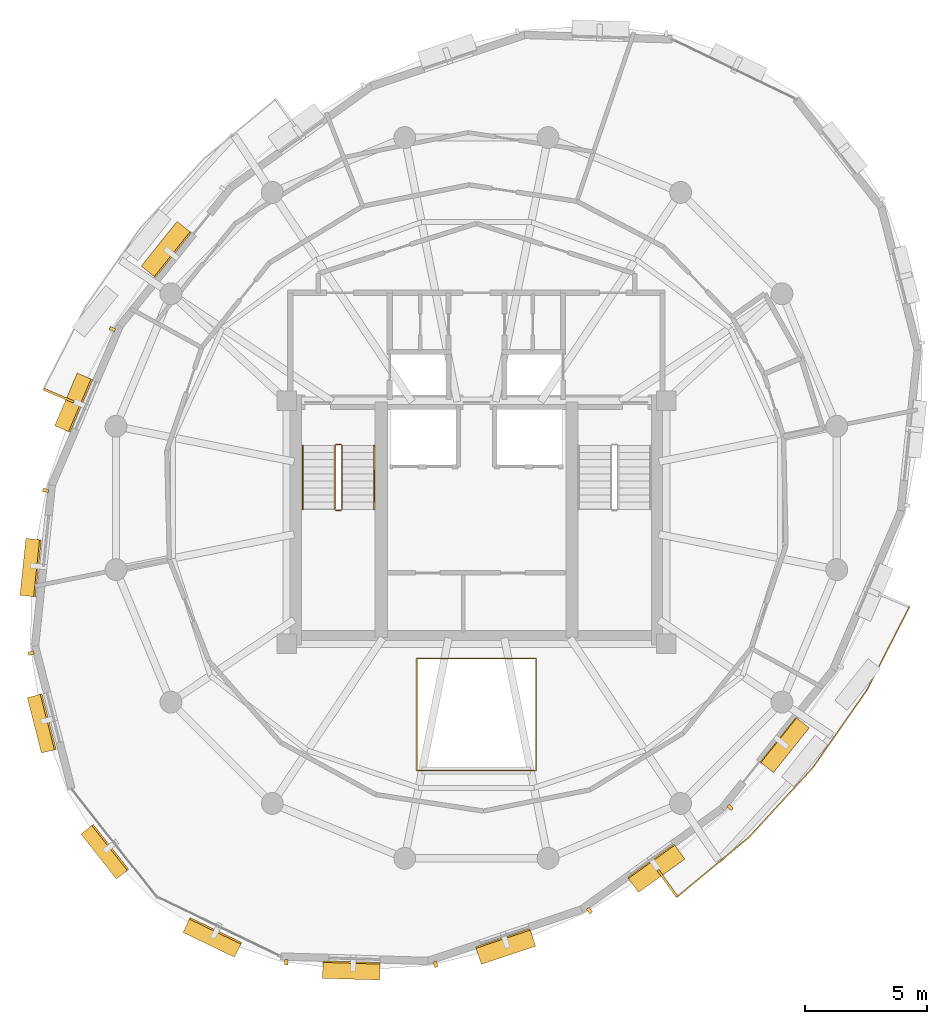
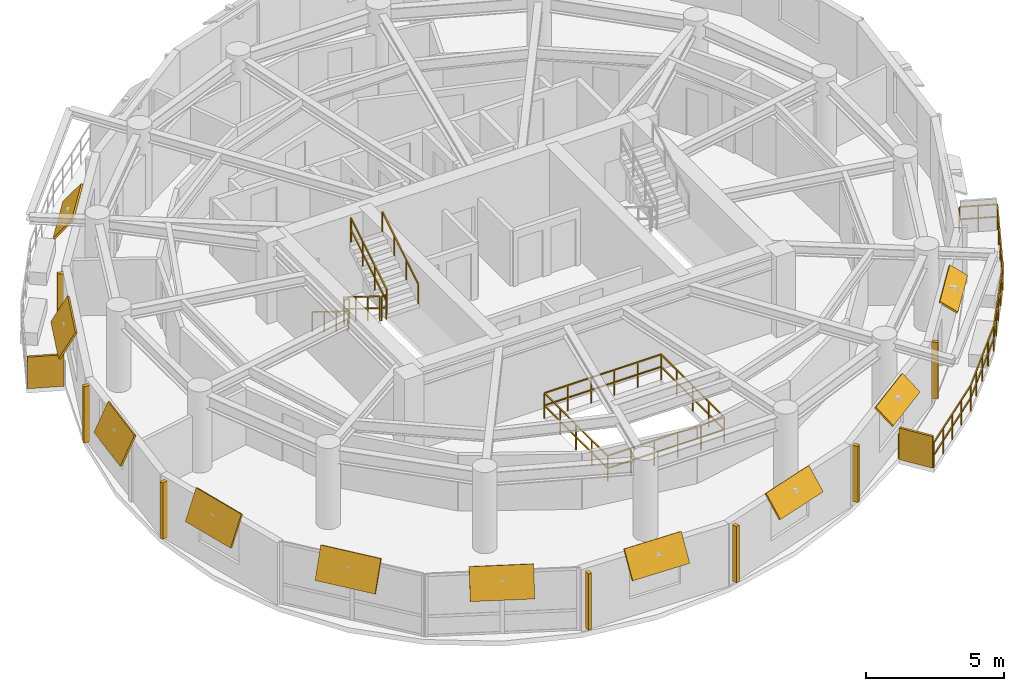
# One storey, part 10 of 11: 19 shading devices, 8 railings.
"""IFC4 building model written with IfcOpenShell, lengths in metres."""

from ifc_helpers import new_model, si_unit, direction, frame, origin, origin_2d, place, context, subcontext, project, spatial, rectangle, extrude, material, layer, layer_set, type_object, element, save


model = new_model("IFC4")

# Units and contexts
model_context = context("Model", 3, precision=1e-05, world=origin(), true_north=direction((0.0, 1.0)))
body_context = subcontext(model_context, "Body", "Model", "MODEL_VIEW")
ifc_project = project(units=[si_unit("LENGTHUNIT", "METRE"), si_unit("AREAUNIT", "SQUARE_METRE"), si_unit("VOLUMEUNIT", "CUBIC_METRE"), si_unit("PLANEANGLEUNIT", "RADIAN"), si_unit("MASSUNIT", "GRAM", prefix="KILO"), si_unit("THERMODYNAMICTEMPERATUREUNIT", "KELVIN"), si_unit("POWERUNIT", "WATT")], contexts=[model_context])

# Site, building, storey
site_placement = place(None, origin())
site = spatial("IfcSite", under=ifc_project, at=site_placement, CompositionType="ELEMENT")
building_placement = place(site_placement, origin())
building = spatial("IfcBuilding", under=site, at=building_placement, Name="Ocrelia Relay Tower", CompositionType="ELEMENT")
storey_placement = place(building_placement, frame((0.0, 0.0, 244.800048828125)))
storey = spatial("IfcBuildingStorey", under=building, at=storey_placement, Name="L60", CompositionType="ELEMENT", Elevation=244.800048828125)

# Railings
ifc_material_1 = material(Name="Steel S355 balustrade", Category="steel")
railing_type_1 = type_object("IfcRailingType", Name="RL-EXT-GUARD-1150", PredefinedType="GUARDRAIL", material=ifc_material_1)
railing_1_placement = place(storey_placement, frame((50.51513671875, 22.070068359375, 0.0)))
element("IfcRailing", 1, at=railing_1_placement, inside=storey, type_object=railing_type_1, Name="L60 Loggia Balcony Guard Rail B2", PredefinedType="GUARDRAIL", context=body_context, shape_type="SweptSolid", body=[
    extrude(rectangle(XDim=0.048095703125, YDim=0.048095703125, at=origin_2d()), frame((0.0, 0.0, 1.1259765625), z_axis=(0.920427080377, -0.390914299699, 0.0), x_axis=(0.390914299699, 0.920427080377, 0.0)), (0.0, 0.0, 1.0), 1.393310546875),
    extrude(rectangle(XDim=0.048095703125, YDim=0.048095703125, at=origin_2d()), frame((0.0, 0.0, 0.574951171875), z_axis=(0.920427080377, -0.390914299699, 0.0), x_axis=(0.390914299699, 0.920427080377, 0.0)), (0.0, 0.0, 1.0), 1.393310546875),
    extrude(rectangle(XDim=0.048095703125, YDim=0.048095703125, at=origin_2d()), frame((1.282470703125, -0.544677734375, 1.1259765625), z_axis=(-0.454873673203, -0.890555973214, 0.0), x_axis=(0.890555973214, -0.454873673203, 0.0)), (0.0, 0.0, 1.0), 1.9208984375),
    extrude(rectangle(XDim=0.048095703125, YDim=0.048095703125, at=origin_2d()), frame((1.282470703125, -0.544677734375, 0.574951171875), z_axis=(-0.454873673203, -0.890555973214, 0.0), x_axis=(0.890555973214, -0.454873673203, 0.0)), (0.0, 0.0, 1.0), 1.9208984375),
    extrude(rectangle(XDim=0.048095703125, YDim=0.048095703125, at=origin_2d()), frame((0.40869140625, -2.25537109375, 1.1259765625), z_axis=(-0.454925163319, -0.890529671476, 0.0), x_axis=(0.890529671476, -0.454925163319, 0.0)), (0.0, 0.0, 1.0), 1.920654296875),
    extrude(rectangle(XDim=0.048095703125, YDim=0.048095703125, at=origin_2d()), frame((0.40869140625, -2.25537109375, 0.574951171875), z_axis=(-0.454925163319, -0.890529671476, 0.0), x_axis=(0.890529671476, -0.454925163319, 0.0)), (0.0, 0.0, 1.0), 1.920654296875),
    extrude(rectangle(XDim=0.048095703125, YDim=0.048095703125, at=origin_2d()), frame((-0.465087890625, -3.9658203125, 1.1259765625), z_axis=(-0.571451400758, -0.820635909872, 0.0), x_axis=(0.820635909872, -0.571451400758, 0.0)), (0.0, 0.0, 1.0), 3.8818359375),
    extrude(rectangle(XDim=0.048095703125, YDim=0.048095703125, at=origin_2d()), frame((-0.465087890625, -3.9658203125, 0.574951171875), z_axis=(-0.571451400758, -0.820635909872, 0.0), x_axis=(0.820635909872, -0.571451400758, 0.0)), (0.0, 0.0, 1.0), 3.8818359375),
    extrude(rectangle(XDim=0.048095703125, YDim=0.048095703125, at=origin_2d()), frame((-2.683349609375, -7.1513671875, 1.1259765625), z_axis=(-0.676208628107, -0.736710181329, 0.0), x_axis=(0.736710181329, -0.676208628107, 0.0)), (0.0, 0.0, 1.0), 3.8818359375),
    extrude(rectangle(XDim=0.048095703125, YDim=0.048095703125, at=origin_2d()), frame((-2.683349609375, -7.1513671875, 0.574951171875), z_axis=(-0.676208628107, -0.736710181329, 0.0), x_axis=(0.736710181329, -0.676208628107, 0.0)), (0.0, 0.0, 1.0), 3.8818359375),
    extrude(rectangle(XDim=0.048095703125, YDim=0.048095703125, at=origin_2d()), frame((-5.308349609375, -10.01123046875, 1.1259765625), z_axis=(-0.769875240666, -0.638194416937, 0.0), x_axis=(0.638194416937, -0.769875240666, 0.0)), (0.0, 0.0, 1.0), 1.9208984375),
    extrude(rectangle(XDim=0.048095703125, YDim=0.048095703125, at=origin_2d()), frame((-5.308349609375, -10.01123046875, 0.574951171875), z_axis=(-0.769875240666, -0.638194416937, 0.0), x_axis=(0.638194416937, -0.769875240666, 0.0)), (0.0, 0.0, 1.0), 1.9208984375),
    extrude(rectangle(XDim=0.048095703125, YDim=0.048095703125, at=origin_2d()), frame((-6.787109375, -11.237060546875, 1.1259765625), z_axis=(-0.769875240666, -0.638194416937, 0.0), x_axis=(0.638194416937, -0.769875240666, 0.0)), (0.0, 0.0, 1.0), 1.9208984375),
    extrude(rectangle(XDim=0.048095703125, YDim=0.048095703125, at=origin_2d()), frame((-6.787109375, -11.237060546875, 0.574951171875), z_axis=(-0.769875240666, -0.638194416937, 0.0), x_axis=(0.638194416937, -0.769875240666, 0.0)), (0.0, 0.0, 1.0), 1.9208984375),
    extrude(rectangle(XDim=0.048095703125, YDim=0.048095703125, at=origin_2d()), frame((-8.265869140625, -12.462890625, 1.1259765625), z_axis=(-0.582364598076, 0.812927718132, 0.0), x_axis=(-0.812927718132, -0.582364598076, 0.0)), (0.0, 0.0, 1.0), 1.3935546875),
    extrude(rectangle(XDim=0.048095703125, YDim=0.048095703125, at=origin_2d()), frame((-8.265869140625, -12.462890625, 0.574951171875), z_axis=(-0.582364598076, 0.812927718132, 0.0), x_axis=(-0.812927718132, -0.582364598076, 0.0)), (0.0, 0.0, 1.0), 1.3935546875),
    extrude(rectangle(XDim=0.0419921875, YDim=0.0419921875, at=origin_2d()), origin(), (0.0, 0.0, 1.0), 1.101806640625),
    extrude(rectangle(XDim=0.0419921875, YDim=0.0419921875, at=origin_2d()), frame((0.64111328125, -0.2724609375, 0.0)), (0.0, 0.0, 1.0), 1.101806640625),
    extrude(rectangle(XDim=0.0419921875, YDim=0.0419921875, at=origin_2d()), frame((1.282470703125, -0.544677734375, 0.0)), (0.0, 0.0, 1.0), 1.101806640625),
    extrude(rectangle(XDim=0.0419921875, YDim=0.0419921875, at=origin_2d()), frame((0.845703125, -1.39990234375, 0.0)), (0.0, 0.0, 1.0), 1.101806640625),
    extrude(rectangle(XDim=0.0419921875, YDim=0.0419921875, at=origin_2d()), frame((0.40869140625, -2.25537109375, 0.0)), (0.0, 0.0, 1.0), 1.101806640625),
    extrude(rectangle(XDim=0.0419921875, YDim=0.0419921875, at=origin_2d()), frame((-0.0283203125, -3.110595703125, 0.0)), (0.0, 0.0, 1.0), 1.101806640625),
    extrude(rectangle(XDim=0.0419921875, YDim=0.0419921875, at=origin_2d()), frame((-0.465087890625, -3.9658203125, 0.0)), (0.0, 0.0, 1.0), 1.101806640625),
    extrude(rectangle(XDim=0.0419921875, YDim=0.0419921875, at=origin_2d()), frame((-1.01953125, -4.76220703125, 0.0)), (0.0, 0.0, 1.0), 1.101806640625),
    extrude(rectangle(XDim=0.0419921875, YDim=0.0419921875, at=origin_2d()), frame((-1.57421875, -5.55859375, 0.0)), (0.0, 0.0, 1.0), 1.101806640625),
    extrude(rectangle(XDim=0.0419921875, YDim=0.0419921875, at=origin_2d()), frame((-2.12890625, -6.35498046875, 0.0)), (0.0, 0.0, 1.0), 1.101806640625),
    extrude(rectangle(XDim=0.0419921875, YDim=0.0419921875, at=origin_2d()), frame((-2.683349609375, -7.1513671875, 0.0)), (0.0, 0.0, 1.0), 1.101806640625),
    extrude(rectangle(XDim=0.0419921875, YDim=0.0419921875, at=origin_2d()), frame((-3.339599609375, -7.8662109375, 0.0)), (0.0, 0.0, 1.0), 1.101806640625),
    extrude(rectangle(XDim=0.0419921875, YDim=0.0419921875, at=origin_2d()), frame((-3.995849609375, -8.581298828125, 0.0)), (0.0, 0.0, 1.0), 1.101806640625),
    extrude(rectangle(XDim=0.0419921875, YDim=0.0419921875, at=origin_2d()), frame((-4.652099609375, -9.29638671875, 0.0)), (0.0, 0.0, 1.0), 1.101806640625),
    extrude(rectangle(XDim=0.0419921875, YDim=0.0419921875, at=origin_2d()), frame((-5.308349609375, -10.01123046875, 0.0)), (0.0, 0.0, 1.0), 1.101806640625),
    extrude(rectangle(XDim=0.0419921875, YDim=0.0419921875, at=origin_2d()), frame((-6.0478515625, -10.6240234375, 0.0)), (0.0, 0.0, 1.0), 1.101806640625),
    extrude(rectangle(XDim=0.0419921875, YDim=0.0419921875, at=origin_2d()), frame((-6.787109375, -11.237060546875, 0.0)), (0.0, 0.0, 1.0), 1.101806640625),
    extrude(rectangle(XDim=0.0419921875, YDim=0.0419921875, at=origin_2d()), frame((-7.5263671875, -11.85009765625, 0.0)), (0.0, 0.0, 1.0), 1.101806640625),
    extrude(rectangle(XDim=0.0419921875, YDim=0.0419921875, at=origin_2d()), frame((-8.265869140625, -12.462890625, 0.0)), (0.0, 0.0, 1.0), 1.101806640625),
    extrude(rectangle(XDim=0.0419921875, YDim=0.0419921875, at=origin_2d()), frame((-8.671630859375, -11.896484375, 0.0)), (0.0, 0.0, 1.0), 1.101806640625),
    extrude(rectangle(XDim=0.0419921875, YDim=0.0419921875, at=origin_2d()), frame((-9.077392578125, -11.330078125, 0.0)), (0.0, 0.0, 1.0), 1.101806640625),
])
ifc_material_2 = material(Name="Steel S355 atrium balustrade", Category="steel")
railing_type_2 = type_object("IfcRailingType", Name="RL-INT-GUARD-115", PredefinedType="GUARDRAIL", material=ifc_material_2)
railing_2_placement = place(storey_placement, frame((31.550048828125, 14.800048828125, 0.0)))
element("IfcRailing", 2, at=railing_2_placement, inside=storey, type_object=railing_type_2, Name="L60 Multi-Zone Interior Atrium Guard", PredefinedType="GUARDRAIL", context=body_context, shape_type="SweptSolid", body=[
    extrude(rectangle(XDim=0.048095703125, YDim=0.048095703125, at=origin_2d()), frame((0.0, 0.0, 1.1259765625), z_axis=(1.0, 0.0, 0.0), x_axis=(0.0, 1.0, 0.0)), (0.0, 0.0, 1.0), 4.89990234375),
    extrude(rectangle(XDim=0.048095703125, YDim=0.048095703125, at=origin_2d()), frame((0.0, 0.0, 0.574951171875), z_axis=(1.0, 0.0, 0.0), x_axis=(0.0, 1.0, 0.0)), (0.0, 0.0, 1.0), 4.89990234375),
    extrude(rectangle(XDim=0.048095703125, YDim=0.048095703125, at=origin_2d()), frame((4.89990234375, 0.0, 1.1259765625), z_axis=(0.0, 1.0, 0.0), x_axis=(-1.0, 0.0, 0.0)), (0.0, 0.0, 1.0), 4.599853515625),
    extrude(rectangle(XDim=0.048095703125, YDim=0.048095703125, at=origin_2d()), frame((4.89990234375, 0.0, 0.574951171875), z_axis=(0.0, 1.0, 0.0), x_axis=(-1.0, 0.0, 0.0)), (0.0, 0.0, 1.0), 4.599853515625),
    extrude(rectangle(XDim=0.048095703125, YDim=0.048095703125, at=origin_2d()), frame((4.89990234375, 4.599853515625, 1.1259765625), z_axis=(-1.0, 0.0, 0.0), x_axis=(0.0, -1.0, 0.0)), (0.0, 0.0, 1.0), 4.89990234375),
    extrude(rectangle(XDim=0.048095703125, YDim=0.048095703125, at=origin_2d()), frame((4.89990234375, 4.599853515625, 0.574951171875), z_axis=(-1.0, 0.0, 0.0), x_axis=(0.0, -1.0, 0.0)), (0.0, 0.0, 1.0), 4.89990234375),
    extrude(rectangle(XDim=0.048095703125, YDim=0.048095703125, at=origin_2d()), frame((0.0, 4.599853515625, 1.1259765625), z_axis=(0.0, -1.0, 0.0), x_axis=(1.0, 0.0, 0.0)), (0.0, 0.0, 1.0), 4.599853515625),
    extrude(rectangle(XDim=0.048095703125, YDim=0.048095703125, at=origin_2d()), frame((0.0, 4.599853515625, 0.574951171875), z_axis=(0.0, -1.0, 0.0), x_axis=(1.0, 0.0, 0.0)), (0.0, 0.0, 1.0), 4.599853515625),
    extrude(rectangle(XDim=0.0419921875, YDim=0.0419921875, at=origin_2d()), origin(), (0.0, 0.0, 1.0), 1.101806640625),
    extrude(rectangle(XDim=0.0419921875, YDim=0.0419921875, at=origin_2d()), frame((0.97998046875, 0.0, 0.0)), (0.0, 0.0, 1.0), 1.101806640625),
    extrude(rectangle(XDim=0.0419921875, YDim=0.0419921875, at=origin_2d()), frame((1.9599609375, 0.0, 0.0)), (0.0, 0.0, 1.0), 1.101806640625),
    extrude(rectangle(XDim=0.0419921875, YDim=0.0419921875, at=origin_2d()), frame((2.93994140625, 0.0, 0.0)), (0.0, 0.0, 1.0), 1.101806640625),
    extrude(rectangle(XDim=0.0419921875, YDim=0.0419921875, at=origin_2d()), frame((3.919921875, 0.0, 0.0)), (0.0, 0.0, 1.0), 1.101806640625),
    extrude(rectangle(XDim=0.0419921875, YDim=0.0419921875, at=origin_2d()), frame((4.89990234375, 0.0, 0.0)), (0.0, 0.0, 1.0), 1.101806640625),
    extrude(rectangle(XDim=0.0419921875, YDim=0.0419921875, at=origin_2d()), frame((4.89990234375, 1.14990234375, 0.0)), (0.0, 0.0, 1.0), 1.101806640625),
    extrude(rectangle(XDim=0.0419921875, YDim=0.0419921875, at=origin_2d()), frame((4.89990234375, 2.2998046875, 0.0)), (0.0, 0.0, 1.0), 1.101806640625),
    extrude(rectangle(XDim=0.0419921875, YDim=0.0419921875, at=origin_2d()), frame((4.89990234375, 3.449951171875, 0.0)), (0.0, 0.0, 1.0), 1.101806640625),
    extrude(rectangle(XDim=0.0419921875, YDim=0.0419921875, at=origin_2d()), frame((4.89990234375, 4.599853515625, 0.0)), (0.0, 0.0, 1.0), 1.101806640625),
    extrude(rectangle(XDim=0.0419921875, YDim=0.0419921875, at=origin_2d()), frame((3.919921875, 4.599853515625, 0.0)), (0.0, 0.0, 1.0), 1.101806640625),
    extrude(rectangle(XDim=0.0419921875, YDim=0.0419921875, at=origin_2d()), frame((2.93994140625, 4.599853515625, 0.0)), (0.0, 0.0, 1.0), 1.101806640625),
    extrude(rectangle(XDim=0.0419921875, YDim=0.0419921875, at=origin_2d()), frame((1.9599609375, 4.599853515625, 0.0)), (0.0, 0.0, 1.0), 1.101806640625),
    extrude(rectangle(XDim=0.0419921875, YDim=0.0419921875, at=origin_2d()), frame((0.97998046875, 4.599853515625, 0.0)), (0.0, 0.0, 1.0), 1.101806640625),
    extrude(rectangle(XDim=0.0419921875, YDim=0.0419921875, at=origin_2d()), frame((0.0, 4.599853515625, 0.0)), (0.0, 0.0, 1.0), 1.101806640625),
    extrude(rectangle(XDim=0.0419921875, YDim=0.0419921875, at=origin_2d()), frame((0.0, 3.449951171875, 0.0)), (0.0, 0.0, 1.0), 1.101806640625),
    extrude(rectangle(XDim=0.0419921875, YDim=0.0419921875, at=origin_2d()), frame((0.0, 2.2998046875, 0.0)), (0.0, 0.0, 1.0), 1.101806640625),
    extrude(rectangle(XDim=0.0419921875, YDim=0.0419921875, at=origin_2d()), frame((0.0, 1.14990234375, 0.0)), (0.0, 0.0, 1.0), 1.101806640625),
])
railing_type_3 = type_object("IfcRailingType", Name="RL-STAIR-GUARD", PredefinedType="GUARDRAIL", material=ifc_material_1)
railing_3_placement = place(storey_placement, frame((28.179931640625, 28.14990234375, 0.179931640625)))
element("IfcRailing", 3, at=railing_3_placement, inside=storey, type_object=railing_type_3, Name="L60 ST1 stair guard 1", PredefinedType="GUARDRAIL", context=body_context, shape_type="SweptSolid", body=[
    extrude(rectangle(XDim=0.048095703125, YDim=0.048095703125, at=origin_2d()), frame((0.0, 0.0, 1.076171875), z_axis=(0.0, -0.849610693518, 0.52741034258), x_axis=(1.0, 0.0, 0.0)), (0.0, 0.0, 1.0), 3.07177734375),
    extrude(rectangle(XDim=0.048095703125, YDim=0.048095703125, at=origin_2d()), frame((0.0, 0.0, 0.550048828125), z_axis=(0.0, -0.849610693518, 0.52741034258), x_axis=(1.0, 0.0, 0.0)), (0.0, 0.0, 1.0), 3.07177734375),
    extrude(rectangle(XDim=0.0419921875, YDim=0.0419921875, at=origin_2d()), origin(), (0.0, 0.0, 1.0), 1.052001953125),
    extrude(rectangle(XDim=0.0419921875, YDim=0.0419921875, at=origin_2d()), frame((0.0, -0.869873046875, 0.5400390625)), (0.0, 0.0, 1.0), 1.052001953125),
    extrude(rectangle(XDim=0.0419921875, YDim=0.0419921875, at=origin_2d()), frame((0.0, -1.739990234375, 1.080078125)), (0.0, 0.0, 1.0), 1.052001953125),
    extrude(rectangle(XDim=0.0419921875, YDim=0.0419921875, at=origin_2d()), frame((0.0, -2.60986328125, 1.6201171875)), (0.0, 0.0, 1.0), 1.052001953125),
])
railing_4_placement = place(storey_placement, frame((28.22998046875, 25.489990234375, 1.800048828125)))
element("IfcRailing", 4, at=railing_4_placement, inside=storey, type_object=railing_type_3, Name="L60 ST1 stair guard 2", PredefinedType="GUARDRAIL", context=body_context, shape_type="SweptSolid", body=[
    extrude(rectangle(XDim=0.048095703125, YDim=0.048095703125, at=origin_2d()), frame((0.0, 0.0, 1.076171875), z_axis=(1.0, 0.0, 0.0), x_axis=(0.0, 1.0, 0.0)), (0.0, 0.0, 1.0), 0.199951171875),
    extrude(rectangle(XDim=0.048095703125, YDim=0.048095703125, at=origin_2d()), frame((0.0, 0.0, 0.550048828125), z_axis=(1.0, 0.0, 0.0), x_axis=(0.0, 1.0, 0.0)), (0.0, 0.0, 1.0), 0.199951171875),
    extrude(rectangle(XDim=0.0419921875, YDim=0.0419921875, at=origin_2d()), origin(), (0.0, 0.0, 1.0), 1.052001953125),
    extrude(rectangle(XDim=0.0419921875, YDim=0.0419921875, at=origin_2d()), frame((0.199951171875, 0.0, 0.0)), (0.0, 0.0, 1.0), 1.052001953125),
])
railing_5_placement = place(storey_placement, frame((28.47998046875, 25.5400390625, 1.97998046875)))
element("IfcRailing", 5, at=railing_5_placement, inside=storey, type_object=railing_type_3, Name="L60 ST1 stair guard 3", PredefinedType="GUARDRAIL", context=body_context, shape_type="SweptSolid", body=[
    extrude(rectangle(XDim=0.048095703125, YDim=0.048095703125, at=origin_2d()), frame((0.0, 0.0, 1.076171875), z_axis=(0.0, 0.849646306263, 0.527352969322), x_axis=(-1.0, 0.0, 0.0)), (0.0, 0.0, 1.0), 3.07177734375),
    extrude(rectangle(XDim=0.048095703125, YDim=0.048095703125, at=origin_2d()), frame((0.0, 0.0, 0.550048828125), z_axis=(0.0, 0.849646306263, 0.527352969322), x_axis=(-1.0, 0.0, 0.0)), (0.0, 0.0, 1.0), 3.07177734375),
    extrude(rectangle(XDim=0.0419921875, YDim=0.0419921875, at=origin_2d()), origin(), (0.0, 0.0, 1.0), 1.052001953125),
    extrude(rectangle(XDim=0.0419921875, YDim=0.0419921875, at=origin_2d()), frame((0.0, 0.869873046875, 0.5400390625)), (0.0, 0.0, 1.0), 1.052001953125),
    extrude(rectangle(XDim=0.0419921875, YDim=0.0419921875, at=origin_2d()), frame((0.0, 1.739990234375, 1.079833984375)), (0.0, 0.0, 1.0), 1.052001953125),
    extrude(rectangle(XDim=0.0419921875, YDim=0.0419921875, at=origin_2d()), frame((0.0, 2.60986328125, 1.619873046875)), (0.0, 0.0, 1.0), 1.052001953125),
])
railing_6_placement = place(storey_placement, frame((28.22998046875, 28.199951171875, 0.0)))
element("IfcRailing", 6, at=railing_6_placement, inside=storey, type_object=railing_type_3, Name="L60 ST1 stair guard 4", PredefinedType="GUARDRAIL", context=body_context, shape_type="SweptSolid", body=[
    extrude(rectangle(XDim=0.048095703125, YDim=0.048095703125, at=origin_2d()), frame((0.0, 0.0, 1.076171875), z_axis=(1.0, 0.0, 0.0), x_axis=(0.0, 1.0, 0.0)), (0.0, 0.0, 1.0), 0.199951171875),
    extrude(rectangle(XDim=0.048095703125, YDim=0.048095703125, at=origin_2d()), frame((0.0, 0.0, 0.550048828125), z_axis=(1.0, 0.0, 0.0), x_axis=(0.0, 1.0, 0.0)), (0.0, 0.0, 1.0), 0.199951171875),
    extrude(rectangle(XDim=0.0419921875, YDim=0.0419921875, at=origin_2d()), origin(), (0.0, 0.0, 1.0), 1.052001953125),
    extrude(rectangle(XDim=0.0419921875, YDim=0.0419921875, at=origin_2d()), frame((0.199951171875, 0.0, 0.0)), (0.0, 0.0, 1.0), 1.052001953125),
])
ifc_material_3 = material(Name="Steel S355 tubular handrail", Category="steel")
railing_type_4 = type_object("IfcRailingType", Name="RL-STAIR-HAND", PredefinedType="HANDRAIL", material=ifc_material_3)
railing_7_placement = place(storey_placement, frame((26.860107421875, 28.14990234375, 0.179931640625)))
element("IfcRailing", 7, at=railing_7_placement, inside=storey, type_object=railing_type_4, Name="L60 ST1 stair handrail 1", PredefinedType="HANDRAIL", context=body_context, shape_type="SweptSolid", body=[
    extrude(rectangle(XDim=0.048095703125, YDim=0.048095703125, at=origin_2d()), frame((0.0, 0.0, 0.8759765625), z_axis=(0.0, -0.849610693518, 0.52741034258), x_axis=(1.0, 0.0, 0.0)), (0.0, 0.0, 1.0), 3.07177734375),
    extrude(rectangle(XDim=0.0419921875, YDim=0.0419921875, at=origin_2d()), origin(), (0.0, 0.0, 1.0), 0.851806640625),
    extrude(rectangle(XDim=0.0419921875, YDim=0.0419921875, at=origin_2d()), frame((0.0, -0.869873046875, 0.5400390625)), (0.0, 0.0, 1.0), 0.851806640625),
    extrude(rectangle(XDim=0.0419921875, YDim=0.0419921875, at=origin_2d()), frame((0.0, -1.739990234375, 1.080078125)), (0.0, 0.0, 1.0), 0.851806640625),
    extrude(rectangle(XDim=0.0419921875, YDim=0.0419921875, at=origin_2d()), frame((0.0, -2.60986328125, 1.6201171875)), (0.0, 0.0, 1.0), 0.851806640625),
])
railing_8_placement = place(storey_placement, frame((29.800048828125, 25.5400390625, 1.97998046875)))
element("IfcRailing", 8, at=railing_8_placement, inside=storey, type_object=railing_type_4, Name="L60 ST1 stair handrail 2", PredefinedType="HANDRAIL", context=body_context, shape_type="SweptSolid", body=[
    extrude(rectangle(XDim=0.048095703125, YDim=0.048095703125, at=origin_2d()), frame((0.0, 0.0, 0.8759765625), z_axis=(0.0, 0.849646306263, 0.527352969322), x_axis=(-1.0, 0.0, 0.0)), (0.0, 0.0, 1.0), 3.07177734375),
    extrude(rectangle(XDim=0.0419921875, YDim=0.0419921875, at=origin_2d()), origin(), (0.0, 0.0, 1.0), 0.851806640625),
    extrude(rectangle(XDim=0.0419921875, YDim=0.0419921875, at=origin_2d()), frame((0.0, 0.869873046875, 0.5400390625)), (0.0, 0.0, 1.0), 0.851806640625),
    extrude(rectangle(XDim=0.0419921875, YDim=0.0419921875, at=origin_2d()), frame((0.0, 1.739990234375, 1.079833984375)), (0.0, 0.0, 1.0), 0.851806640625),
    extrude(rectangle(XDim=0.0419921875, YDim=0.0419921875, at=origin_2d()), frame((0.0, 2.60986328125, 1.619873046875)), (0.0, 0.0, 1.0), 0.851806640625),
])

# Shading devices
ifc_material_4 = material(Name="Perforated oxide terracotta solar screen", Category="masonry")
ifc_layer_1 = layer(ifc_material_4, 0.090087890625, Name="Perforated oxide terracotta solar screen")
ifc_layer_set_1 = layer_set([ifc_layer_1], Name="Perforated oxide terracotta solar screen")
shading_device_type_1 = type_object("IfcShadingDeviceType", Name="SH-BALC-SCREEN", PredefinedType="USERDEFINED", material=ifc_layer_set_1)
for number, where, z_axis, x_axis, name in (
    (9, (16.84375, 30.202392578125, 0.0), (0.0, 0.0, 1.0), (-0.920398719493, 0.390981070074, 0.0), "L60 Balcony Perforated Terracotta Screen B1-2"),
    (10, (41.843505859375, 10.173583984375, 0.0), (0.0, 0.0, 1.0), (0.582357729634, -0.812932638498, 0.0), "L60 Balcony Perforated Terracotta Screen B2-1"),
):
    element("IfcShadingDevice", number, at=place(storey_placement, frame(where, z_axis=z_axis, x_axis=x_axis)), inside=storey, type_object=shading_device_type_1, Name=name, ObjectType="SCREEN", PredefinedType="USERDEFINED", context=body_context, shape_type="SweptSolid", body=[
        extrude(rectangle(XDim=1.340087890625, YDim=0.090087890625, at=origin_2d()), origin(), (0.0, 0.0, 1.0), 1.39990234375),
    ])
ifc_material_5 = material(Name="Extruded oxide terracotta vertical baguette", Category="masonry")
shading_device_type_2 = type_object("IfcShadingDeviceType", Name="SH-TERR-BAGUETTE", PredefinedType="USERDEFINED", material=ifc_material_5)
for number, where, z_axis, x_axis, name in (
    (11, (19.040283203125, 32.93701171875, 0.1298828125), (0.0, 0.0, 1.0), (-0.392470232799, -0.919764707068, 0.0), "L60 Oxide Terracotta Vertical Baguette 06"),
    (12, (16.2998046875, 26.308349609375, 0.1298828125), (0.0, 0.0, 1.0), (-0.103595536078, -0.994619507603, 0.0), "L60 Oxide Terracotta Vertical Baguette 07"),
    (13, (15.70166015625, 19.62646484375, 0.1298828125), (0.0, 0.0, 1.0), (0.247303172301, -0.968938151261, 0.0), "L60 Oxide Terracotta Vertical Baguette 08"),
    (14, (26.192138671875, 6.919189453125, 0.1298828125), (0.0, 0.0, 1.0), (0.999550664402, -0.029974477353, 0.0), "L60 Oxide Terracotta Vertical Baguette 11"),
    (15, (32.319091796875, 6.8330078125, 0.1298828125), (0.0, 0.0, 1.0), (0.948067346908, 0.318069655465, 0.0), "L60 Oxide Terracotta Vertical Baguette 12"),
    (16, (38.6455078125, 9.041015625, 0.1298828125), (0.0, 0.0, 1.0), (0.811993931699, 0.583665876065, 0.0), "L60 Oxide Terracotta Vertical Baguette 13"),
    (17, (44.423583984375, 13.2841796875, 0.1298828125), (0.0, 0.0, 1.0), (0.625245013134, 0.780428519181, 0.0), "L60 Oxide Terracotta Vertical Baguette 14"),
):
    element("IfcShadingDevice", number, at=place(storey_placement, frame(where, z_axis=z_axis, x_axis=x_axis)), inside=storey, type_object=shading_device_type_2, Name=name, ObjectType="BAGUETTE", PredefinedType="USERDEFINED", context=body_context, shape_type="SweptSolid", body=[
        extrude(rectangle(XDim=0.139892578125, YDim=0.239990234375, at=origin_2d()), origin(), (0.0, 0.0, 1.0), 2.5),
    ])
ifc_material_6 = material(Name="Extruded oxide terracotta fin", Category="masonry")
ifc_layer_2 = layer(ifc_material_6, 0.080078125, Name="Extruded oxide terracotta fin")
ifc_layer_set_2 = layer_set([ifc_layer_2], Name="Extruded oxide terracotta fin")
shading_device_type_3 = type_object("IfcShadingDeviceType", Name="SH-VISOR-FIN-DEEP", PredefinedType="USERDEFINED", material=ifc_layer_set_2)
shading_device_1_placement = place(storey_placement, frame((17.481689453125, 29.89990234375, 2.580322265625), z_axis=(-0.803117755823, 0.342696137578, 0.487402531354), x_axis=(-0.392470232799, -0.919764707068, 0.0)))
element("IfcShadingDevice", 18, at=shading_device_1_placement, inside=storey, type_object=shading_device_type_3, Name="L60 Canted Terracotta Sun-Visor Fin 06", ObjectType="FIN", PredefinedType="USERDEFINED", context=body_context, shape_type="SweptSolid", body=[
    extrude(rectangle(XDim=2.35009765625, YDim=1.263916015625, at=origin_2d()), origin(), (0.0, 0.0, 1.0), 0.080078125),
])
shading_device_2_placement = place(storey_placement, frame((15.71826171875, 23.133544921875, 2.5830078125), z_axis=(-0.901871094126, 0.0939352373, 0.421668946893), x_axis=(-0.103595536078, -0.994619507603, 0.0)))
element("IfcShadingDevice", 19, at=shading_device_2_placement, inside=storey, type_object=shading_device_type_3, Name="L60 Canted Terracotta Sun-Visor Fin 07", ObjectType="FIN", PredefinedType="USERDEFINED", context=body_context, shape_type="SweptSolid", body=[
    extrude(rectangle(XDim=2.35009765625, YDim=1.333984375, at=origin_2d()), origin(), (0.0, 0.0, 1.0), 0.080078125),
])
shading_device_3_placement = place(storey_placement, frame((16.172607421875, 16.740234375, 2.58349609375), z_axis=(-0.88503142512, -0.225887564375, 0.407055505812), x_axis=(0.247303172301, -0.968938151261, 0.0)))
element("IfcShadingDevice", 20, at=shading_device_3_placement, inside=storey, type_object=shading_device_type_3, Name="L60 Canted Terracotta Sun-Visor Fin 08", ObjectType="FIN", PredefinedType="USERDEFINED", context=body_context, shape_type="SweptSolid", body=[
    extrude(rectangle(XDim=2.35009765625, YDim=1.35009765625, at=origin_2d()), origin(), (0.0, 0.0, 1.0), 0.080078125),
])
shading_device_4_placement = place(storey_placement, frame((18.760009765625, 11.482177734375, 2.582763671875), z_axis=(-0.709329963093, -0.56115070489, 0.426568739901), x_axis=(0.620429556634, -0.784262178901, 0.0)))
element("IfcShadingDevice", 21, at=shading_device_4_placement, inside=storey, type_object=shading_device_type_3, Name="L60 Canted Terracotta Sun-Visor Fin 09", ObjectType="FIN", PredefinedType="USERDEFINED", context=body_context, shape_type="SweptSolid", body=[
    extrude(rectangle(XDim=2.35009765625, YDim=1.3291015625, at=origin_2d()), origin(), (0.0, 0.0, 1.0), 0.080078125),
])
shading_device_5_placement = place(storey_placement, frame((23.16259765625, 7.970703125, 2.5810546875), z_axis=(-0.383212160283, -0.794541533188, 0.471011881219), x_axis=(0.90071118316, -0.434418421029, 0.0)))
element("IfcShadingDevice", 22, at=shading_device_5_placement, inside=storey, type_object=shading_device_type_3, Name="L60 Canted Terracotta Sun-Visor Fin 10", ObjectType="FIN", PredefinedType="USERDEFINED", context=body_context, shape_type="SweptSolid", body=[
    extrude(rectangle(XDim=2.35009765625, YDim=1.281982421875, at=origin_2d()), origin(), (0.0, 0.0, 1.0), 0.080078125),
])
shading_device_6_placement = place(storey_placement, frame((28.8623046875, 6.6181640625, 2.578369140625), z_axis=(-0.025243611042, -0.841791764773, 0.539211818177), x_axis=(0.999550664402, -0.029974477353, 0.0)))
element("IfcShadingDevice", 23, at=shading_device_6_placement, inside=storey, type_object=shading_device_type_3, Name="L60 Canted Terracotta Sun-Visor Fin 11", ObjectType="FIN", PredefinedType="USERDEFINED", context=body_context, shape_type="SweptSolid", body=[
    extrude(rectangle(XDim=2.35009765625, YDim=1.2060546875, at=origin_2d()), origin(), (0.0, 0.0, 1.0), 0.080078125),
])
ifc_layer_3 = layer(ifc_material_6, 0.080078125, Name="Extruded oxide terracotta fin")
ifc_layer_set_3 = layer_set([ifc_layer_3], Name="Extruded oxide terracotta fin")
shading_device_type_4 = type_object("IfcShadingDeviceType", Name="SH-VISOR-FIN-MED", PredefinedType="USERDEFINED", material=ifc_layer_set_3)
shading_device_7_placement = place(storey_placement, frame((21.27978515625, 36.19091796875, 2.575439453125), z_axis=(-0.620231933773, 0.496902552952, 0.606959801962), x_axis=(-0.625245013134, -0.780428519181, 0.0)))
element("IfcShadingDevice", 24, at=shading_device_7_placement, inside=storey, type_object=shading_device_type_4, Name="L60 Canted Terracotta Sun-Visor Fin 05", ObjectType="FIN", PredefinedType="USERDEFINED", context=body_context, shape_type="SweptSolid", body=[
    extrude(rectangle(XDim=2.35009765625, YDim=1.126953125, at=origin_2d()), origin(), (0.0, 0.0, 1.0), 0.080078125),
])
shading_device_8_placement = place(storey_placement, frame((35.18798828125, 7.594970703125, 2.574462890625), z_axis=(0.246170246413, -0.73375742827, 0.633245802386), x_axis=(0.948067346908, 0.318069655465, 0.0)))
element("IfcShadingDevice", 25, at=shading_device_8_placement, inside=storey, type_object=shading_device_type_4, Name="L60 Canted Terracotta Sun-Visor Fin 12", ObjectType="FIN", PredefinedType="USERDEFINED", context=body_context, shape_type="SweptSolid", body=[
    extrude(rectangle(XDim=2.35009765625, YDim=1.094970703125, at=origin_2d()), origin(), (0.0, 0.0, 1.0), 0.080078125),
])
shading_device_9_placement = place(storey_placement, frame((41.375, 10.803955078125, 2.56982421875), z_axis=(0.387663405696, -0.539315978328, 0.747566290977), x_axis=(0.811993931699, 0.583665876065, 0.0)))
element("IfcShadingDevice", 26, at=shading_device_9_placement, inside=storey, type_object=shading_device_type_4, Name="L60 Canted Terracotta Sun-Visor Fin 13", ObjectType="FIN", PredefinedType="USERDEFINED", context=body_context, shape_type="SweptSolid", body=[
    extrude(rectangle(XDim=2.35009765625, YDim=0.944091796875, at=origin_2d()), origin(), (0.0, 0.0, 1.0), 0.080078125),
])
ifc_layer_4 = layer(ifc_material_6, 0.080078125, Name="Extruded oxide terracotta fin")
ifc_layer_set_4 = layer_set([ifc_layer_4], Name="Extruded oxide terracotta fin")
shading_device_type_5 = type_object("IfcShadingDeviceType", Name="SH-VISOR-FIN-SHAL", PredefinedType="USERDEFINED", material=ifc_layer_set_4)
shading_device_10_placement = place(storey_placement, frame((46.6513671875, 15.8642578125, 2.565673828125), z_axis=(0.406261932063, -0.325479196115, 0.853823480265), x_axis=(0.625245013134, 0.780428519181, 0.0)))
element("IfcShadingDevice", 27, at=shading_device_10_placement, inside=storey, type_object=shading_device_type_5, Name="L60 Canted Terracotta Sun-Visor Fin 14", ObjectType="FIN", PredefinedType="USERDEFINED", context=body_context, shape_type="SweptSolid", body=[
    extrude(rectangle(XDim=2.35009765625, YDim=0.77294921875, at=origin_2d()), origin(), (0.0, 0.0, 1.0), 0.080078125),
])

save(model, "model.ifc")
